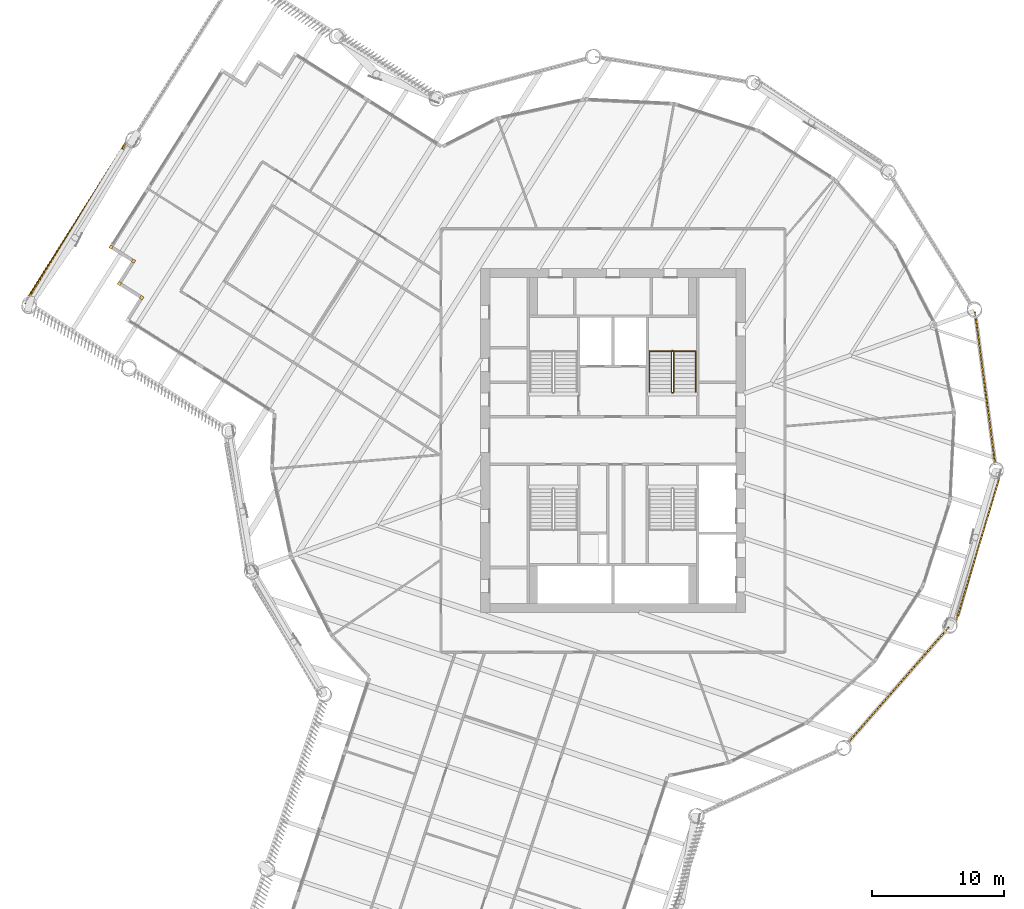
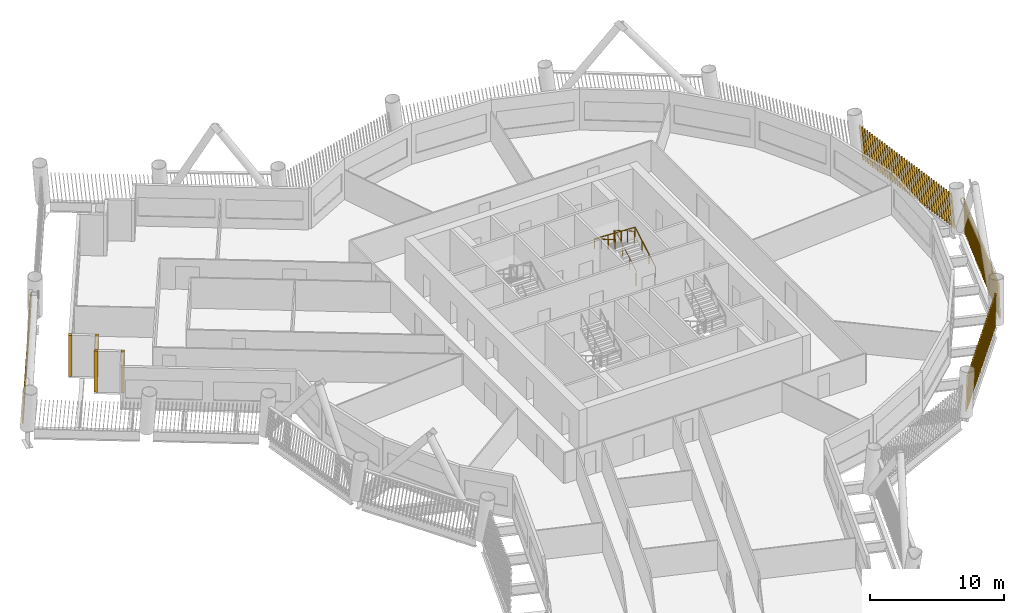
# One storey, part 20 of 22: 8 shading devices, 2 railings.
"""IFC4 building model written with IfcOpenShell, lengths in metres."""

from ifc_helpers import new_model, si_unit, direction, frame, frame_2d, origin, origin_2d, place, context, subcontext, project, spatial, rectangle, circle, composite_profile, extrude, material, type_object, element, save


model = new_model("IFC4")

# Units and contexts
model_context = context("Model", 3, precision=1e-05, world=origin(), true_north=direction((0.0, 1.0)))
body_context = subcontext(model_context, "Body", "Model", "MODEL_VIEW")
ifc_project = project(units=[si_unit("LENGTHUNIT", "METRE"), si_unit("AREAUNIT", "SQUARE_METRE"), si_unit("VOLUMEUNIT", "CUBIC_METRE"), si_unit("PLANEANGLEUNIT", "RADIAN"), si_unit("MASSUNIT", "GRAM", prefix="KILO")], contexts=[model_context])

# Site, building, storey
site_placement = place(None, origin())
site = spatial("IfcSite", under=ifc_project, at=site_placement, CompositionType="ELEMENT")
building_placement = place(site_placement, origin())
building = spatial("IfcBuilding", under=site, at=building_placement, Name="Tarsis Ring Headquarters", CompositionType="ELEMENT")
storey_placement = place(building_placement, frame((0.0, 0.0, 147.60009765625)))
storey = spatial("IfcBuildingStorey", under=building, at=storey_placement, Name="L33", CompositionType="ELEMENT", Elevation=147.60009765625)

# Railings
ifc_material_1 = material(Name="Steel S355", Category="steel")
railing_type_1 = type_object("IfcRailingType", Name="Core stair guard 1100", PredefinedType="GUARDRAIL", material=ifc_material_1)
railing_1_placement = place(storey_placement, frame((4.4599609375, 3.610107421875, 0.0)))
element("IfcRailing", 1, at=railing_1_placement, inside=storey, type_object=railing_type_1, Name="L33 ST2 stair guard 1", PredefinedType="GUARDRAIL", context=body_context, shape_type="SweptSolid", body=[
    extrude(circle(Radius=0.02392578125, at=origin_2d()), frame((0.0, 0.0, 1.076171875), z_axis=(1.0, 0.0, 0.0), x_axis=(0.0, 1.0, 0.0)), (0.0, 0.0, 1.0), 0.080078125),
    extrude(circle(Radius=0.02392578125, at=origin_2d()), frame((0.080078125, 0.0, 1.076171875), z_axis=(0.282693820306, 0.281314826061, 0.917031173188), x_axis=(-0.705375805398, 0.708833529934, 0.0)), (0.0, 0.0, 1.0), 0.177001953125),
    extrude(circle(Radius=0.02392578125, at=origin_2d()), frame((0.130126953125, 0.0498046875, 1.23828125), z_axis=(0.0, 0.864890721111, 0.501960198159), x_axis=(-1.0, 0.0, 0.0)), (0.0, 0.0, 1.0), 3.561279296875),
    extrude(circle(Radius=0.02392578125, at=origin_2d()), frame((0.130126953125, 3.1298828125, 3.02587890625), z_axis=(-0.707106781187, 0.707106781187, 0.0), x_axis=(-0.707106781187, -0.707106781187, 0.0)), (0.0, 0.0, 1.0), 0.07080078125),
    extrude(circle(Radius=0.02392578125, at=origin_2d()), frame((0.080078125, 3.179931640625, 3.02587890625), z_axis=(-1.0, 0.0, 0.0), x_axis=(0.0, -1.0, 0.0)), (0.0, 0.0, 1.0), 0.080078125),
    extrude(circle(Radius=0.02392578125, at=origin_2d()), frame((0.0, 3.179931640625, 3.02587890625), z_axis=(-0.282583949758, -0.282583949758, 0.916674763849), x_axis=(0.707106781187, -0.707106781187, 0.0)), (0.0, 0.0, 1.0), 0.177001953125),
    extrude(circle(Radius=0.02392578125, at=origin_2d()), frame((-0.050048828125, 3.1298828125, 3.1884765625), z_axis=(0.0, -0.864890721111, 0.501960198159), x_axis=(1.0, 0.0, 0.0)), (0.0, 0.0, 1.0), 3.561279296875),
    extrude(circle(Radius=0.02099609375, at=origin_2d()), origin(), (0.0, 0.0, 1.0), 1.052001953125),
    extrude(circle(Radius=0.02099609375, at=origin_2d()), frame((0.080078125, 0.0, 0.0)), (0.0, 0.0, 1.0), 1.052001953125),
    extrude(circle(Radius=0.02099609375, at=origin_2d()), frame((0.130126953125, 0.0498046875, 0.162353515625)), (0.0, 0.0, 1.0), 1.052001953125),
    extrude(circle(Radius=0.02099609375, at=origin_2d()), frame((0.130126953125, 1.076416015625, 0.75830078125)), (0.0, 0.0, 1.0), 1.052001953125),
    extrude(circle(Radius=0.02099609375, at=origin_2d()), frame((0.130126953125, 2.103271484375, 1.35400390625)), (0.0, 0.0, 1.0), 1.052001953125),
    extrude(circle(Radius=0.02099609375, at=origin_2d()), frame((0.130126953125, 3.1298828125, 1.949951171875)), (0.0, 0.0, 1.0), 1.052001953125),
    extrude(circle(Radius=0.02099609375, at=origin_2d()), frame((0.080078125, 3.179931640625, 1.949951171875)), (0.0, 0.0, 1.0), 1.052001953125),
    extrude(circle(Radius=0.02099609375, at=origin_2d()), frame((0.0, 3.179931640625, 1.949951171875)), (0.0, 0.0, 1.0), 1.052001953125),
    extrude(circle(Radius=0.02099609375, at=origin_2d()), frame((-0.050048828125, 3.1298828125, 2.1123046875)), (0.0, 0.0, 1.0), 1.052001953125),
    extrude(circle(Radius=0.02099609375, at=origin_2d()), frame((-0.050048828125, 2.103271484375, 2.708251953125)), (0.0, 0.0, 1.0), 1.052001953125),
    extrude(circle(Radius=0.02099609375, at=origin_2d()), frame((-0.050048828125, 1.076416015625, 3.303955078125)), (0.0, 0.0, 1.0), 1.052001953125),
    extrude(circle(Radius=0.02099609375, at=origin_2d()), frame((-0.050048828125, 0.0498046875, 3.89990234375)), (0.0, 0.0, 1.0), 1.052001953125),
])
railing_type_2 = type_object("IfcRailingType", Name="Core stair handrail 900", PredefinedType="HANDRAIL", material=ifc_material_1)
railing_2_placement = place(storey_placement, frame((6.25, 3.659912109375, 0.162353515625)))
element("IfcRailing", 2, at=railing_2_placement, inside=storey, type_object=railing_type_2, Name="L33 ST2 stair handrail 1", PredefinedType="HANDRAIL", context=body_context, shape_type="SweptSolid", body=[
    extrude(circle(Radius=0.02392578125, at=origin_2d()), frame((0.0, 0.0, 0.8759765625), z_axis=(0.0, 0.864890721111, 0.501960198159), x_axis=(-1.0, 0.0, 0.0)), (0.0, 0.0, 1.0), 3.561279296875),
    extrude(circle(Radius=0.02392578125, at=origin_2d()), frame((0.0, 3.080078125, 2.66357421875), z_axis=(-0.998925869279, 0.0, 0.04633689335), x_axis=(0.0, -1.0, 0.0)), (0.0, 0.0, 1.0), 3.503662109375),
    extrude(circle(Radius=0.02392578125, at=origin_2d()), frame((-3.5, 3.080078125, 2.82568359375), z_axis=(0.0, -0.864890721111, 0.501960198159), x_axis=(1.0, 0.0, 0.0)), (0.0, 0.0, 1.0), 3.561279296875),
    extrude(circle(Radius=0.02099609375, at=origin_2d()), origin(), (0.0, 0.0, 1.0), 0.851806640625),
    extrude(circle(Radius=0.02099609375, at=origin_2d()), frame((0.0, 1.026611328125, 0.595947265625)), (0.0, 0.0, 1.0), 0.851806640625),
    extrude(circle(Radius=0.02099609375, at=origin_2d()), frame((0.0, 2.053466796875, 1.191650390625)), (0.0, 0.0, 1.0), 0.851806640625),
    extrude(circle(Radius=0.02099609375, at=origin_2d()), frame((0.0, 3.080078125, 1.78759765625)), (0.0, 0.0, 1.0), 0.851806640625),
    extrude(circle(Radius=0.02099609375, at=origin_2d()), frame((-1.166748046875, 3.080078125, 1.841796875)), (0.0, 0.0, 1.0), 0.851806640625),
    extrude(circle(Radius=0.02099609375, at=origin_2d()), frame((-2.333251953125, 3.080078125, 1.895751953125)), (0.0, 0.0, 1.0), 0.851806640625),
    extrude(circle(Radius=0.02099609375, at=origin_2d()), frame((-3.5, 3.080078125, 1.949951171875)), (0.0, 0.0, 1.0), 0.851806640625),
    extrude(circle(Radius=0.02099609375, at=origin_2d()), frame((-3.5, 2.053466796875, 2.5458984375)), (0.0, 0.0, 1.0), 0.851806640625),
    extrude(circle(Radius=0.02099609375, at=origin_2d()), frame((-3.5, 1.026611328125, 3.1416015625)), (0.0, 0.0, 1.0), 0.851806640625),
    extrude(circle(Radius=0.02099609375, at=origin_2d()), frame((-3.5, 0.0, 3.737548828125)), (0.0, 0.0, 1.0), 0.851806640625),
])

# Shading devices
ifc_material_2 = material(Name="Terracotta baguette", Category="masonry")
shading_device_type_1 = type_object("IfcShadingDeviceType", Name="Terracotta baguette screen", PredefinedType="USERDEFINED", material=ifc_material_2)
shading_device_1_placement = place(storey_placement, frame((17.694091796875, -22.909912109375, 0.0), z_axis=(0.0, 0.0, 1.0), x_axis=(0.657580032556, 0.753380358112, 0.0)))
element("IfcShadingDevice", 3, at=shading_device_1_placement, inside=storey, type_object=shading_device_type_1, Name="Baguette screen L33-08", ObjectType="Terracotta baguette screen", PredefinedType="USERDEFINED", context=body_context, shape_type="SweptSolid", body=[
    extrude(composite_profile([rectangle(XDim=0.06005859375, YDim=0.1201171875, at=frame_2d((0.030029296875, 0.0))), rectangle(XDim=0.06005859375, YDim=0.1201171875, at=frame_2d((0.33251953125, 0.0))), rectangle(XDim=0.06005859375, YDim=0.1201171875, at=frame_2d((0.634765625, 0.0))), rectangle(XDim=0.06005859375, YDim=0.1201171875, at=frame_2d((0.937255859375, 0.0))), rectangle(XDim=0.06005859375, YDim=0.1201171875, at=frame_2d((1.239501953125, 0.0))), rectangle(XDim=0.06005859375, YDim=0.1201171875, at=frame_2d((1.5419921875, 0.0))), rectangle(XDim=0.06005859375, YDim=0.1201171875, at=frame_2d((1.844482421875, 0.0))), rectangle(XDim=0.06005859375, YDim=0.1201171875, at=frame_2d((2.146728515625, 0.0))), rectangle(XDim=0.06005859375, YDim=0.1201171875, at=frame_2d((2.44921875, 0.0))), rectangle(XDim=0.06005859375, YDim=0.1201171875, at=frame_2d((2.751708984375, 0.0))), rectangle(XDim=0.06005859375, YDim=0.1201171875, at=frame_2d((3.053955078125, 0.0))), rectangle(XDim=0.06005859375, YDim=0.1201171875, at=frame_2d((3.3564453125, 0.0))), rectangle(XDim=0.06005859375, YDim=0.1201171875, at=frame_2d((3.65869140625, 0.0))), rectangle(XDim=0.06005859375, YDim=0.1201171875, at=frame_2d((3.961181640625, 0.0))), rectangle(XDim=0.06005859375, YDim=0.1201171875, at=frame_2d((4.263671875, 0.0))), rectangle(XDim=0.06005859375, YDim=0.1201171875, at=frame_2d((4.56591796875, 0.0))), rectangle(XDim=0.06005859375, YDim=0.1201171875, at=frame_2d((4.868408203125, 0.0))), rectangle(XDim=0.06005859375, YDim=0.1201171875, at=frame_2d((5.1708984375, 0.0))), rectangle(XDim=0.06005859375, YDim=0.1201171875, at=frame_2d((5.47314453125, 0.0))), rectangle(XDim=0.06005859375, YDim=0.1201171875, at=frame_2d((5.775634765625, 0.0))), rectangle(XDim=0.06005859375, YDim=0.1201171875, at=frame_2d((6.077880859375, 0.0))), rectangle(XDim=0.06005859375, YDim=0.1201171875, at=frame_2d((6.38037109375, 0.0))), rectangle(XDim=0.06005859375, YDim=0.1201171875, at=frame_2d((6.682861328125, 0.0))), rectangle(XDim=0.06005859375, YDim=0.1201171875, at=frame_2d((6.985107421875, 0.0))), rectangle(XDim=0.06005859375, YDim=0.1201171875, at=frame_2d((7.28759765625, 0.0))), rectangle(XDim=0.06005859375, YDim=0.1201171875, at=frame_2d((7.590087890625, 0.0))), rectangle(XDim=0.06005859375, YDim=0.1201171875, at=frame_2d((7.892333984375, 0.0))), rectangle(XDim=0.06005859375, YDim=0.1201171875, at=frame_2d((8.19482421875, 0.0))), rectangle(XDim=0.06005859375, YDim=0.1201171875, at=frame_2d((8.4970703125, 0.0))), rectangle(XDim=0.06005859375, YDim=0.1201171875, at=frame_2d((8.799560546875, 0.0))), rectangle(XDim=0.06005859375, YDim=0.1201171875, at=frame_2d((9.10205078125, 0.0))), rectangle(XDim=0.06005859375, YDim=0.1201171875, at=frame_2d((9.404296875, 0.0))), rectangle(XDim=0.06005859375, YDim=0.1201171875, at=frame_2d((9.706787109375, 0.0))), rectangle(XDim=0.06005859375, YDim=0.1201171875, at=frame_2d((10.00927734375, 0.0))), rectangle(XDim=0.06005859375, YDim=0.1201171875, at=frame_2d((10.3115234375, 0.0))), rectangle(XDim=0.06005859375, YDim=0.1201171875, at=frame_2d((10.614013671875, 0.0))), rectangle(XDim=0.06005859375, YDim=0.1201171875, at=frame_2d((10.916259765625, 0.0))), rectangle(XDim=0.06005859375, YDim=0.1201171875, at=frame_2d((11.21875, 0.0)))]), origin(), (0.149495501066, 0.001173070283, 0.988761709952), 2.9833984375),
])
shading_device_2_placement = place(storey_placement, frame((25.92333984375, -13.68798828125, 0.0), z_axis=(0.0, 0.0, 1.0), x_axis=(0.288600946304, 0.957459738681, 0.0)))
element("IfcShadingDevice", 4, at=shading_device_2_placement, inside=storey, type_object=shading_device_type_1, Name="Baguette screen L33-09", ObjectType="Terracotta baguette screen", PredefinedType="USERDEFINED", context=body_context, shape_type="SweptSolid", body=[
    extrude(composite_profile([rectangle(XDim=0.06005859375, YDim=0.1201171875, at=frame_2d((0.030029296875, 0.0))), rectangle(XDim=0.06005859375, YDim=0.1201171875, at=frame_2d((0.33251953125, 0.0))), rectangle(XDim=0.06005859375, YDim=0.1201171875, at=frame_2d((0.634765625, 0.0))), rectangle(XDim=0.06005859375, YDim=0.1201171875, at=frame_2d((0.937255859375, 0.0))), rectangle(XDim=0.06005859375, YDim=0.1201171875, at=frame_2d((1.239501953125, 0.0))), rectangle(XDim=0.06005859375, YDim=0.1201171875, at=frame_2d((1.5419921875, 0.0))), rectangle(XDim=0.06005859375, YDim=0.1201171875, at=frame_2d((1.844482421875, 0.0))), rectangle(XDim=0.06005859375, YDim=0.1201171875, at=frame_2d((2.146728515625, 0.0))), rectangle(XDim=0.06005859375, YDim=0.1201171875, at=frame_2d((2.44921875, 0.0))), rectangle(XDim=0.06005859375, YDim=0.1201171875, at=frame_2d((2.751708984375, 0.0))), rectangle(XDim=0.06005859375, YDim=0.1201171875, at=frame_2d((3.053955078125, 0.0))), rectangle(XDim=0.06005859375, YDim=0.1201171875, at=frame_2d((3.3564453125, 0.0))), rectangle(XDim=0.06005859375, YDim=0.1201171875, at=frame_2d((3.65869140625, 0.0))), rectangle(XDim=0.06005859375, YDim=0.1201171875, at=frame_2d((3.961181640625, 0.0))), rectangle(XDim=0.06005859375, YDim=0.1201171875, at=frame_2d((4.263671875, 0.0))), rectangle(XDim=0.06005859375, YDim=0.1201171875, at=frame_2d((4.56591796875, 0.0))), rectangle(XDim=0.06005859375, YDim=0.1201171875, at=frame_2d((4.868408203125, 0.0))), rectangle(XDim=0.06005859375, YDim=0.1201171875, at=frame_2d((5.1708984375, 0.0))), rectangle(XDim=0.06005859375, YDim=0.1201171875, at=frame_2d((5.47314453125, 0.0))), rectangle(XDim=0.06005859375, YDim=0.1201171875, at=frame_2d((5.775634765625, 0.0))), rectangle(XDim=0.06005859375, YDim=0.1201171875, at=frame_2d((6.077880859375, 0.0))), rectangle(XDim=0.06005859375, YDim=0.1201171875, at=frame_2d((6.38037109375, 0.0))), rectangle(XDim=0.06005859375, YDim=0.1201171875, at=frame_2d((6.682861328125, 0.0))), rectangle(XDim=0.06005859375, YDim=0.1201171875, at=frame_2d((6.985107421875, 0.0))), rectangle(XDim=0.06005859375, YDim=0.1201171875, at=frame_2d((7.28759765625, 0.0))), rectangle(XDim=0.06005859375, YDim=0.1201171875, at=frame_2d((7.590087890625, 0.0))), rectangle(XDim=0.06005859375, YDim=0.1201171875, at=frame_2d((7.892333984375, 0.0))), rectangle(XDim=0.06005859375, YDim=0.1201171875, at=frame_2d((8.19482421875, 0.0))), rectangle(XDim=0.06005859375, YDim=0.1201171875, at=frame_2d((8.4970703125, 0.0))), rectangle(XDim=0.06005859375, YDim=0.1201171875, at=frame_2d((8.799560546875, 0.0))), rectangle(XDim=0.06005859375, YDim=0.1201171875, at=frame_2d((9.10205078125, 0.0))), rectangle(XDim=0.06005859375, YDim=0.1201171875, at=frame_2d((9.404296875, 0.0))), rectangle(XDim=0.06005859375, YDim=0.1201171875, at=frame_2d((9.706787109375, 0.0))), rectangle(XDim=0.06005859375, YDim=0.1201171875, at=frame_2d((10.00927734375, 0.0))), rectangle(XDim=0.06005859375, YDim=0.1201171875, at=frame_2d((10.3115234375, 0.0))), rectangle(XDim=0.06005859375, YDim=0.1201171875, at=frame_2d((10.614013671875, 0.0))), rectangle(XDim=0.06005859375, YDim=0.1201171875, at=frame_2d((10.916259765625, 0.0))), rectangle(XDim=0.06005859375, YDim=0.1201171875, at=frame_2d((11.21875, 0.0)))]), origin(), (0.151426368811, 0.001190137059, 0.988467823656), 2.984375),
])
shading_device_3_placement = place(storey_placement, frame((28.888916015625, -1.835205078125, 0.0), z_axis=(0.0, 0.0, 1.0), x_axis=(-0.131720021704, 0.991296798698, 0.0)))
element("IfcShadingDevice", 5, at=shading_device_3_placement, inside=storey, type_object=shading_device_type_1, Name="Baguette screen L33-10", ObjectType="Terracotta baguette screen", PredefinedType="USERDEFINED", context=body_context, shape_type="SweptSolid", body=[
    extrude(composite_profile([rectangle(XDim=0.06005859375, YDim=0.1201171875, at=frame_2d((0.030029296875, 0.0))), rectangle(XDim=0.06005859375, YDim=0.1201171875, at=frame_2d((0.33251953125, 0.0))), rectangle(XDim=0.06005859375, YDim=0.1201171875, at=frame_2d((0.634765625, 0.0))), rectangle(XDim=0.06005859375, YDim=0.1201171875, at=frame_2d((0.937255859375, 0.0))), rectangle(XDim=0.06005859375, YDim=0.1201171875, at=frame_2d((1.239501953125, 0.0))), rectangle(XDim=0.06005859375, YDim=0.1201171875, at=frame_2d((1.5419921875, 0.0))), rectangle(XDim=0.06005859375, YDim=0.1201171875, at=frame_2d((1.844482421875, 0.0))), rectangle(XDim=0.06005859375, YDim=0.1201171875, at=frame_2d((2.146728515625, 0.0))), rectangle(XDim=0.06005859375, YDim=0.1201171875, at=frame_2d((2.44921875, 0.0))), rectangle(XDim=0.06005859375, YDim=0.1201171875, at=frame_2d((2.751708984375, 0.0))), rectangle(XDim=0.06005859375, YDim=0.1201171875, at=frame_2d((3.053955078125, 0.0))), rectangle(XDim=0.06005859375, YDim=0.1201171875, at=frame_2d((3.3564453125, 0.0))), rectangle(XDim=0.06005859375, YDim=0.1201171875, at=frame_2d((3.65869140625, 0.0))), rectangle(XDim=0.06005859375, YDim=0.1201171875, at=frame_2d((3.961181640625, 0.0))), rectangle(XDim=0.06005859375, YDim=0.1201171875, at=frame_2d((4.263671875, 0.0))), rectangle(XDim=0.06005859375, YDim=0.1201171875, at=frame_2d((4.56591796875, 0.0))), rectangle(XDim=0.06005859375, YDim=0.1201171875, at=frame_2d((4.868408203125, 0.0))), rectangle(XDim=0.06005859375, YDim=0.1201171875, at=frame_2d((5.1708984375, 0.0))), rectangle(XDim=0.06005859375, YDim=0.1201171875, at=frame_2d((5.47314453125, 0.0))), rectangle(XDim=0.06005859375, YDim=0.1201171875, at=frame_2d((5.775634765625, 0.0))), rectangle(XDim=0.06005859375, YDim=0.1201171875, at=frame_2d((6.077880859375, 0.0))), rectangle(XDim=0.06005859375, YDim=0.1201171875, at=frame_2d((6.38037109375, 0.0))), rectangle(XDim=0.06005859375, YDim=0.1201171875, at=frame_2d((6.682861328125, 0.0))), rectangle(XDim=0.06005859375, YDim=0.1201171875, at=frame_2d((6.985107421875, 0.0))), rectangle(XDim=0.06005859375, YDim=0.1201171875, at=frame_2d((7.28759765625, 0.0))), rectangle(XDim=0.06005859375, YDim=0.1201171875, at=frame_2d((7.590087890625, 0.0))), rectangle(XDim=0.06005859375, YDim=0.1201171875, at=frame_2d((7.892333984375, 0.0))), rectangle(XDim=0.06005859375, YDim=0.1201171875, at=frame_2d((8.19482421875, 0.0))), rectangle(XDim=0.06005859375, YDim=0.1201171875, at=frame_2d((8.4970703125, 0.0))), rectangle(XDim=0.06005859375, YDim=0.1201171875, at=frame_2d((8.799560546875, 0.0))), rectangle(XDim=0.06005859375, YDim=0.1201171875, at=frame_2d((9.10205078125, 0.0))), rectangle(XDim=0.06005859375, YDim=0.1201171875, at=frame_2d((9.404296875, 0.0))), rectangle(XDim=0.06005859375, YDim=0.1201171875, at=frame_2d((9.706787109375, 0.0))), rectangle(XDim=0.06005859375, YDim=0.1201171875, at=frame_2d((10.00927734375, 0.0))), rectangle(XDim=0.06005859375, YDim=0.1201171875, at=frame_2d((10.3115234375, 0.0))), rectangle(XDim=0.06005859375, YDim=0.1201171875, at=frame_2d((10.614013671875, 0.0))), rectangle(XDim=0.06005859375, YDim=0.1201171875, at=frame_2d((10.916259765625, 0.0))), rectangle(XDim=0.06005859375, YDim=0.1201171875, at=frame_2d((11.21875, 0.0)))]), origin(), (0.149497067642, 0.001173697672, 0.988761472348), 2.9833984375),
])
shading_device_4_placement = place(storey_placement, frame((-36.777099609375, 22.622314453125, 0.0), z_axis=(0.0, 0.0, 1.0), x_axis=(-0.533763821318, -0.845625829279, 0.0)))
element("IfcShadingDevice", 6, at=shading_device_4_placement, inside=storey, type_object=shading_device_type_1, Name="Baguette screen L33-18", ObjectType="Terracotta baguette screen", PredefinedType="USERDEFINED", context=body_context, shape_type="SweptSolid", body=[
    extrude(composite_profile([rectangle(XDim=0.06005859375, YDim=0.1201171875, at=frame_2d((0.030029296875, 0.0))), rectangle(XDim=0.06005859375, YDim=0.1201171875, at=frame_2d((0.33544921875, 0.0))), rectangle(XDim=0.06005859375, YDim=0.1201171875, at=frame_2d((0.640625, 0.0))), rectangle(XDim=0.06005859375, YDim=0.1201171875, at=frame_2d((0.946044921875, 0.0))), rectangle(XDim=0.06005859375, YDim=0.1201171875, at=frame_2d((1.25146484375, 0.0))), rectangle(XDim=0.06005859375, YDim=0.1201171875, at=frame_2d((1.556640625, 0.0))), rectangle(XDim=0.06005859375, YDim=0.1201171875, at=frame_2d((1.862060546875, 0.0))), rectangle(XDim=0.06005859375, YDim=0.1201171875, at=frame_2d((2.16748046875, 0.0))), rectangle(XDim=0.06005859375, YDim=0.1201171875, at=frame_2d((2.47265625, 0.0))), rectangle(XDim=0.06005859375, YDim=0.1201171875, at=frame_2d((2.778076171875, 0.0))), rectangle(XDim=0.06005859375, YDim=0.1201171875, at=frame_2d((3.08349609375, 0.0))), rectangle(XDim=0.06005859375, YDim=0.1201171875, at=frame_2d((3.388671875, 0.0))), rectangle(XDim=0.06005859375, YDim=0.1201171875, at=frame_2d((3.694091796875, 0.0))), rectangle(XDim=0.06005859375, YDim=0.1201171875, at=frame_2d((3.99951171875, 0.0))), rectangle(XDim=0.06005859375, YDim=0.1201171875, at=frame_2d((4.3046875, 0.0))), rectangle(XDim=0.06005859375, YDim=0.1201171875, at=frame_2d((4.610107421875, 0.0))), rectangle(XDim=0.06005859375, YDim=0.1201171875, at=frame_2d((4.91552734375, 0.0))), rectangle(XDim=0.06005859375, YDim=0.1201171875, at=frame_2d((5.220703125, 0.0))), rectangle(XDim=0.06005859375, YDim=0.1201171875, at=frame_2d((5.526123046875, 0.0))), rectangle(XDim=0.06005859375, YDim=0.1201171875, at=frame_2d((5.83154296875, 0.0))), rectangle(XDim=0.06005859375, YDim=0.1201171875, at=frame_2d((6.13671875, 0.0))), rectangle(XDim=0.06005859375, YDim=0.1201171875, at=frame_2d((6.442138671875, 0.0))), rectangle(XDim=0.06005859375, YDim=0.1201171875, at=frame_2d((6.74755859375, 0.0))), rectangle(XDim=0.06005859375, YDim=0.1201171875, at=frame_2d((7.052734375, 0.0))), rectangle(XDim=0.06005859375, YDim=0.1201171875, at=frame_2d((7.358154296875, 0.0))), rectangle(XDim=0.06005859375, YDim=0.1201171875, at=frame_2d((7.66357421875, 0.0))), rectangle(XDim=0.06005859375, YDim=0.1201171875, at=frame_2d((7.96875, 0.0))), rectangle(XDim=0.06005859375, YDim=0.1201171875, at=frame_2d((8.274169921875, 0.0))), rectangle(XDim=0.06005859375, YDim=0.1201171875, at=frame_2d((8.57958984375, 0.0))), rectangle(XDim=0.06005859375, YDim=0.1201171875, at=frame_2d((8.884765625, 0.0))), rectangle(XDim=0.06005859375, YDim=0.1201171875, at=frame_2d((9.190185546875, 0.0))), rectangle(XDim=0.06005859375, YDim=0.1201171875, at=frame_2d((9.49560546875, 0.0))), rectangle(XDim=0.06005859375, YDim=0.1201171875, at=frame_2d((9.80078125, 0.0))), rectangle(XDim=0.06005859375, YDim=0.1201171875, at=frame_2d((10.106201171875, 0.0))), rectangle(XDim=0.06005859375, YDim=0.1201171875, at=frame_2d((10.41162109375, 0.0))), rectangle(XDim=0.06005859375, YDim=0.1201171875, at=frame_2d((10.716796875, 0.0))), rectangle(XDim=0.06005859375, YDim=0.1201171875, at=frame_2d((11.022216796875, 0.0))), rectangle(XDim=0.06005859375, YDim=0.1201171875, at=frame_2d((11.32763671875, 0.0))), rectangle(XDim=0.06005859375, YDim=0.1201171875, at=frame_2d((11.6328125, 0.0))), rectangle(XDim=0.06005859375, YDim=0.1201171875, at=frame_2d((11.938232421875, 0.0))), rectangle(XDim=0.06005859375, YDim=0.1201171875, at=frame_2d((12.24365234375, 0.0))), rectangle(XDim=0.06005859375, YDim=0.1201171875, at=frame_2d((12.548828125, 0.0))), rectangle(XDim=0.06005859375, YDim=0.1201171875, at=frame_2d((12.854248046875, 0.0))), rectangle(XDim=0.06005859375, YDim=0.1201171875, at=frame_2d((13.15966796875, 0.0))), rectangle(XDim=0.06005859375, YDim=0.1201171875, at=frame_2d((13.46484375, 0.0))), rectangle(XDim=0.06005859375, YDim=0.1201171875, at=frame_2d((13.770263671875, 0.0)))]), origin(), (0.223577270901, 0.040131551133, 0.97385967292), 3.029052734375),
])
shading_device_type_2 = type_object("IfcShadingDeviceType", Name="Terracotta corner baguette 250x250", PredefinedType="USERDEFINED", material=ifc_material_2)
for number, where, z_axis, x_axis, name in (
    (7, (-37.923095703125, 14.62451171875, 0.0), (0.0, 0.0, 1.0), (-0.533762115138, -0.845634675521, 0.0), "Corner baguette L33-37"),
    (8, (-36.231689453125, 13.556884765625, 0.0), (0.0, 0.0, 1.0), (0.845634675521, -0.533762115138, 0.0), "Corner baguette L33-38"),
    (9, (-37.29931640625, 11.865478515625, 0.0), (0.0, 0.0, 1.0), (-0.533762115138, -0.845634675521, 0.0), "Corner baguette L33-39"),
    (10, (-35.608154296875, 10.798095703125, 0.0), (0.0, 0.0, 1.0), (0.845634451939, -0.533762469357, 0.0), "Corner baguette L33-40"),
):
    element("IfcShadingDevice", number, at=place(storey_placement, frame(where, z_axis=z_axis, x_axis=x_axis)), inside=storey, type_object=shading_device_type_2, Name=name, ObjectType="Terracotta corner baguette", PredefinedType="USERDEFINED", context=body_context, shape_type="SweptSolid", body=[
        extrude(rectangle(XDim=0.25, YDim=0.25, at=origin_2d()), origin(), (0.0, 0.0, 1.0), 3.739990234375),
    ])

save(model, "model.ifc")
